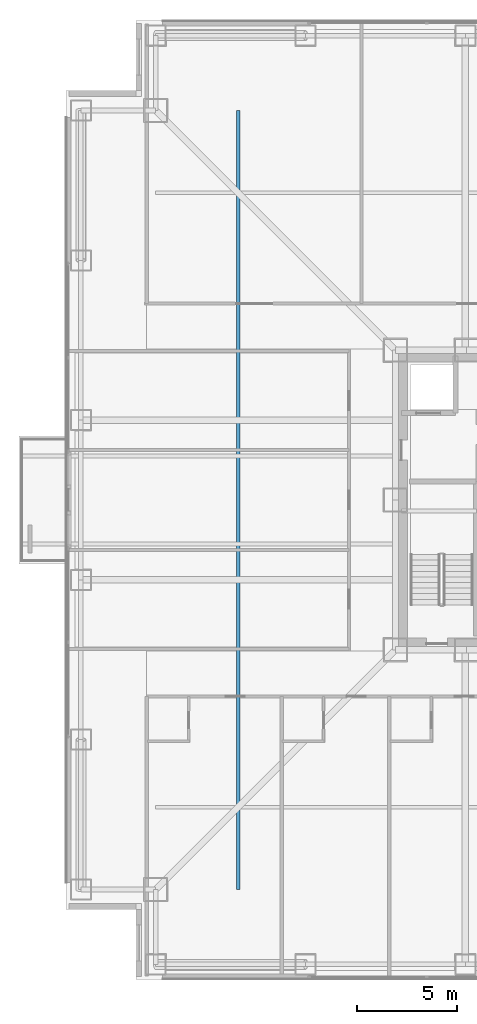
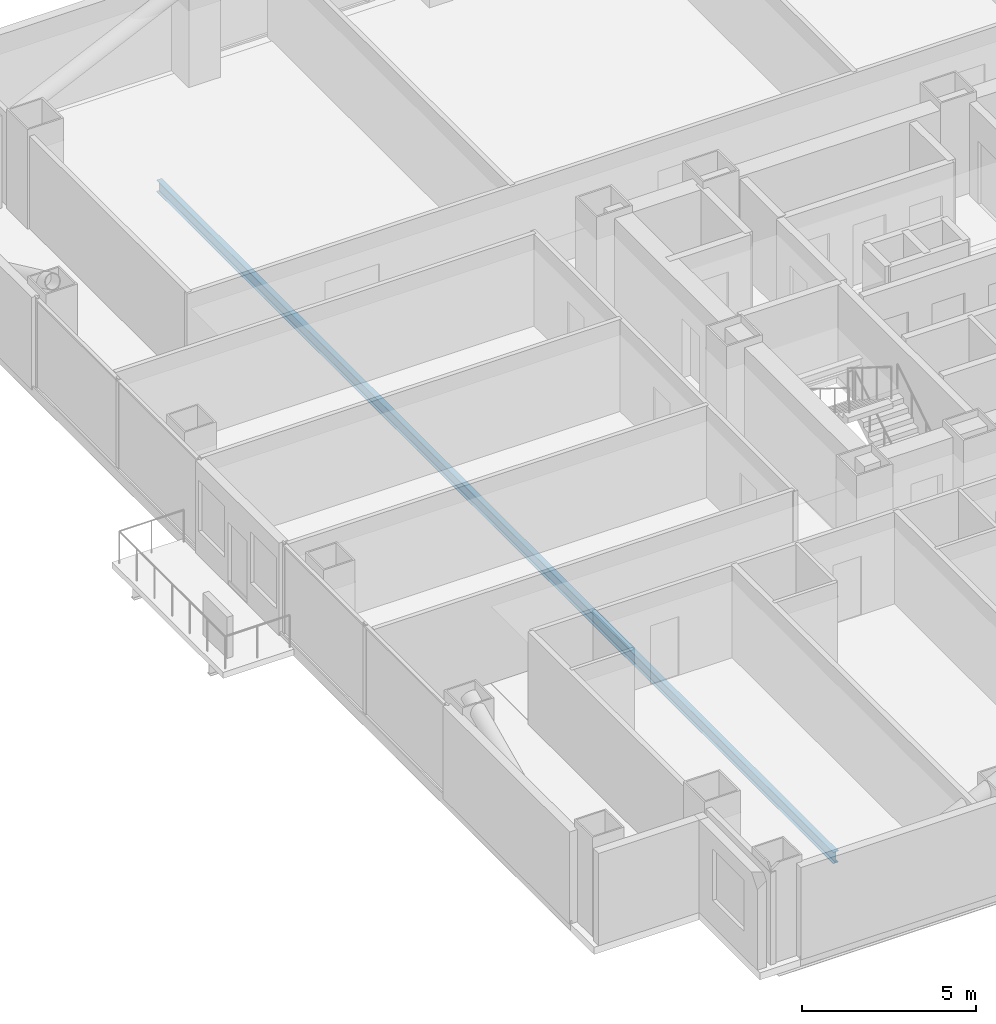
# One storey, part 5 of 20: 1 beam.
"""IFC4 building model written with IfcOpenShell, lengths in metres."""

from ifc_helpers import new_model, si_unit, direction, frame, origin, origin_2d, place, context, subcontext, project, spatial, i_section, extrude, material, material_profile, profile_set, type_object, element, save


model = new_model("IFC4")

# Units and contexts
model_context = context("Model", 3, precision=1e-05, world=origin(), true_north=direction((0.0, 1.0)))
body_context = subcontext(model_context, "Body", "Model", "MODEL_VIEW")
ifc_project = project(units=[si_unit("LENGTHUNIT", "METRE"), si_unit("AREAUNIT", "SQUARE_METRE"), si_unit("VOLUMEUNIT", "CUBIC_METRE"), si_unit("PLANEANGLEUNIT", "RADIAN"), si_unit("MASSUNIT", "GRAM", prefix="KILO")], contexts=[model_context])

# Site, building, storey
site_placement = place(None, origin())
site = spatial("IfcSite", under=ifc_project, at=site_placement, CompositionType="ELEMENT")
building_placement = place(site_placement, origin())
building = spatial("IfcBuilding", under=site, at=building_placement, Name="Trevonay Congress Spire", CompositionType="ELEMENT")
storey_placement = place(building_placement, frame((0.0, 0.0, 76.0)))
storey = spatial("IfcBuildingStorey", under=building, at=storey_placement, Name="L19", CompositionType="ELEMENT", Elevation=76.0)

# Beam
ifc_material = material(Name="Steel ASTM A572 Grade 50", Category="steel")
ifc_material_profile = material_profile(ifc_material, i_section(OverallWidth=0.177978515625, OverallDepth=0.406982421875, WebThickness=0.0078125, FlangeThickness=0.0126953125, FilletRadius=0.012939453125, at=origin_2d()), Name="W410x60")
ifc_profile_set = profile_set([ifc_material_profile], Name="Steel ASTM A572 Grade 50")
beam_type = type_object("IfcBeamType", Name="JS-COMP-W410X60", PredefinedType="JOIST", material=ifc_profile_set)
beam_placement = place(storey_placement, frame((-15.375, -19.5, -0.45361328125), z_axis=(0.0, 1.0, 0.0), x_axis=(-1.0, 0.0, 0.0)))
element("IfcBeam", 1, at=beam_placement, inside=storey, type_object=beam_type, Name="L19 structural beam JS-L19-RING-W", PredefinedType="JOIST", context=body_context, shape_type="SweptSolid", body=[
    extrude(i_section(OverallWidth=0.177978515625, OverallDepth=0.406982421875, WebThickness=0.0078125, FlangeThickness=0.0126953125, FilletRadius=0.012939453125, at=origin_2d()), origin(), (0.0, 0.0, 1.0), 39.0),
])

save(model, "model.ifc")
